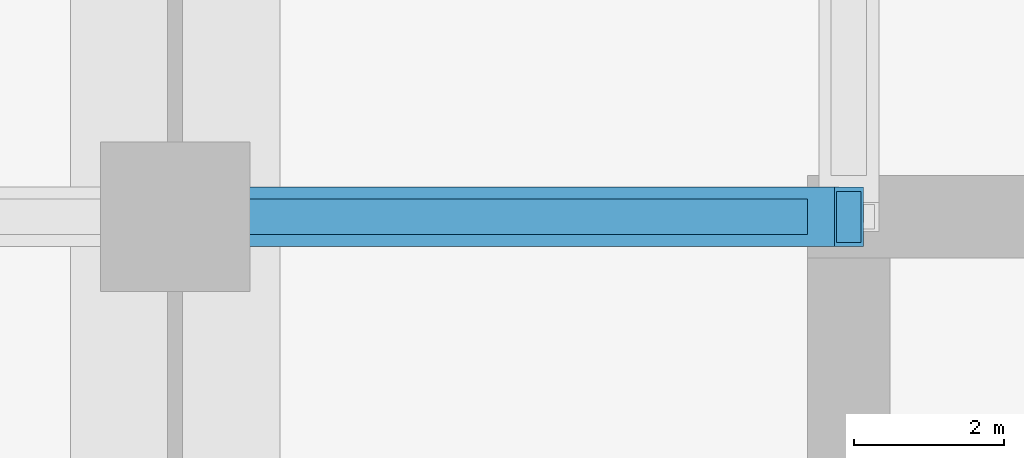
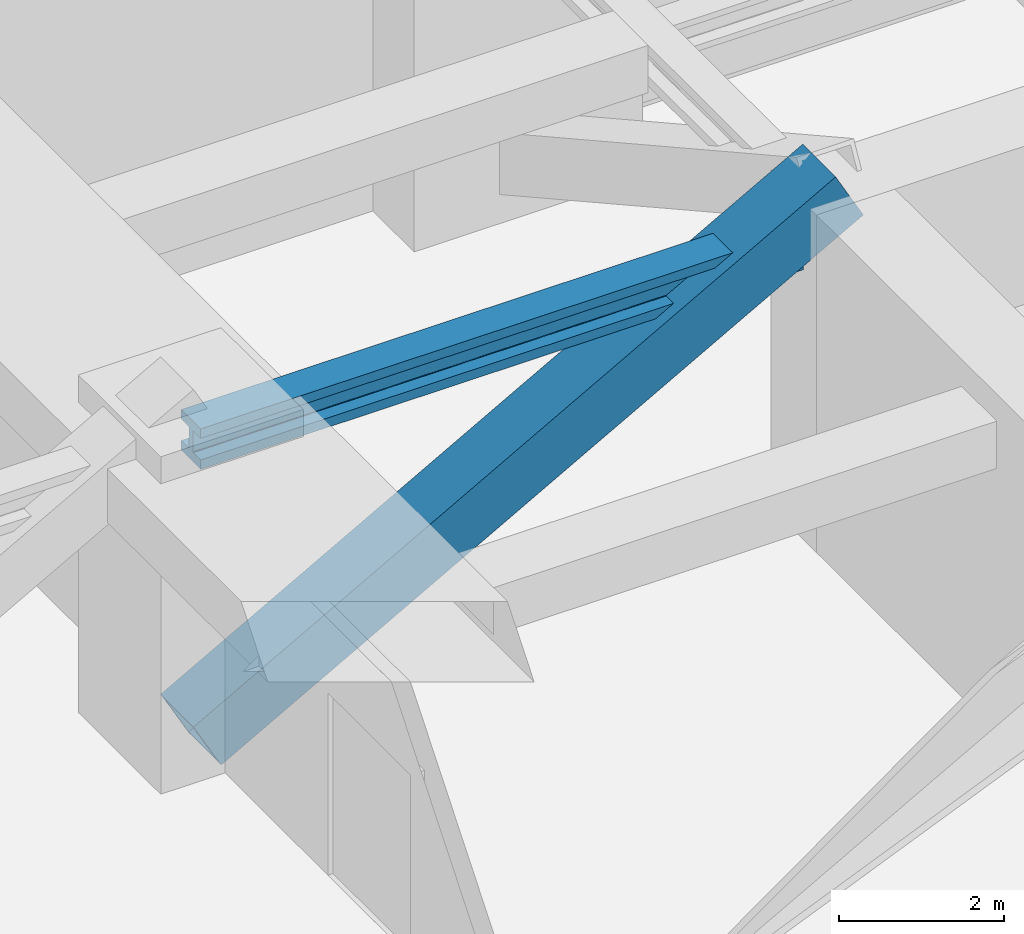
# One storey, part 21 of 38: 1 beam, 1 member.
"""IFC4 building model written with IfcOpenShell, lengths in metres."""

from ifc_helpers import new_model, si_unit, direction, frame, origin, origin_2d, place, context, subcontext, project, spatial, hollow_rectangle, i_section, extrude, material, material_profile, profile_set, type_object, element, save


model = new_model("IFC4")

# Units and contexts
model_context = context("Model", 3, precision=1e-05, world=origin(), true_north=direction((0.0, 1.0)))
body_context = subcontext(model_context, "Body", "Model", "MODEL_VIEW")
ifc_project = project(units=[si_unit("LENGTHUNIT", "METRE"), si_unit("AREAUNIT", "SQUARE_METRE"), si_unit("VOLUMEUNIT", "CUBIC_METRE"), si_unit("PLANEANGLEUNIT", "RADIAN"), si_unit("MASSUNIT", "GRAM", prefix="KILO")], contexts=[model_context])

# Site, building, storey
site_placement = place(None, origin())
site = spatial("IfcSite", under=ifc_project, at=site_placement, CompositionType="ELEMENT")
building_placement = place(site_placement, origin())
building = spatial("IfcBuilding", under=site, at=building_placement, Name="Zorevar Civic Tower", CompositionType="ELEMENT")
storey_placement = place(building_placement, frame((0.0, 0.0, 157.199951171875)))
storey = spatial("IfcBuildingStorey", under=building, at=storey_placement, Name="L38", CompositionType="ELEMENT", Elevation=157.199951171875)

# Beam
ifc_material_1 = material(Name="Steel S460M (HISTAR 460)", Category="steel")
ifc_material_profile_1 = material_profile(ifc_material_1, i_section(OverallWidth=0.47607421875, OverallDepth=0.60009765625, WebThickness=0.10009765625, FlangeThickness=0.139892578125, FilletRadius=0.014892578125, at=origin_2d()), Name="HD 400x1299")
ifc_profile_set_1 = profile_set([ifc_material_profile_1], Name="Steel S460M (HISTAR 460)")
beam_type = type_object("IfcBeamType", Name="Outrigger chord HD 400x1299", PredefinedType="BEAM", material=ifc_profile_set_1)
beam_placement = place(storey_placement, frame((9.0, 36.0, 4.300048828125), z_axis=(1.0, 0.0, 0.0), x_axis=(0.0, 1.0, 0.0)))
element("IfcBeam", 1, at=beam_placement, inside=storey, type_object=beam_type, Name="Outrigger chord L39", PredefinedType="BEAM", context=body_context, shape_type="SweptSolid", body=[
    extrude(i_section(OverallWidth=0.47607421875, OverallDepth=0.60009765625, WebThickness=0.10009765625, FlangeThickness=0.139892578125, FilletRadius=0.014892578125, at=origin_2d()), origin(), (0.0, 0.0, 1.0), 8.449951171875),
])

# Member
ifc_material_2 = material(Name="Steel S460M (HISTAR 460)", Category="steel")
ifc_material_profile_2 = material_profile(ifc_material_2, hollow_rectangle(XDim=0.800048828125, YDim=0.800048828125, WallThickness=0.06005859375, at=origin_2d()), Name="BOX 800x800x60")
ifc_profile_set_2 = profile_set([ifc_material_profile_2], Name="Steel S460M (HISTAR 460)")
member_type = type_object("IfcMemberType", Name="Outrigger diagonal BOX 800x800x60", PredefinedType="BRACE", material=ifc_profile_set_2)
member_placement = place(storey_placement, frame((18.0, 36.0, 5.0), z_axis=(-0.874157276122, 0.0, -0.485642931179), x_axis=(0.0, -1.0, 0.0)))
element("IfcMember", 2, at=member_placement, inside=storey, type_object=member_type, Name="Outrigger diagonal W L38", PredefinedType="BRACE", context=body_context, shape_type="SweptSolid", body=[
    extrude(hollow_rectangle(XDim=0.800048828125, YDim=0.800048828125, WallThickness=0.06005859375, at=origin_2d()), origin(), (0.0, 0.0, 1.0), 10.295654296875),
])

save(model, "model.ifc")
